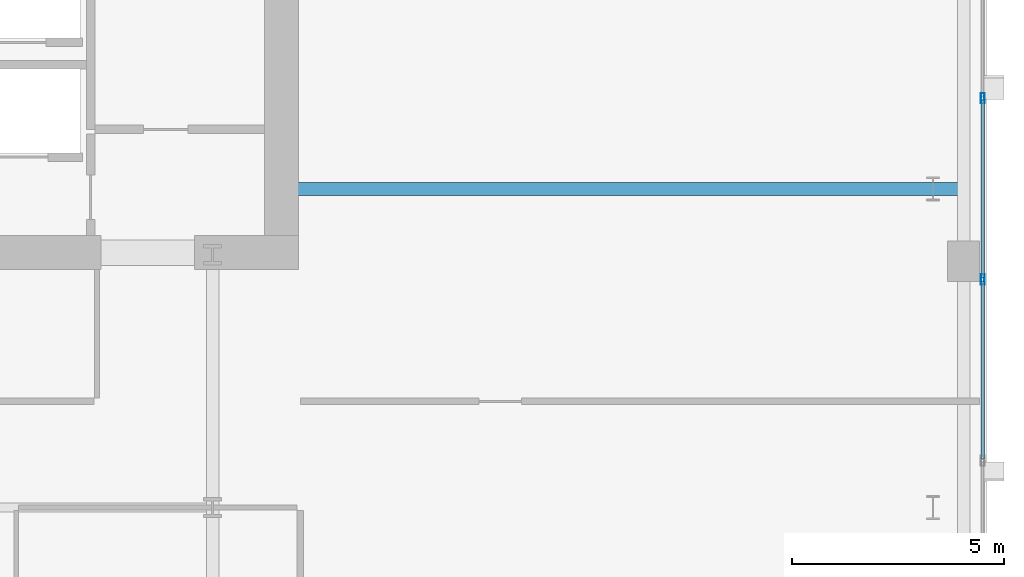
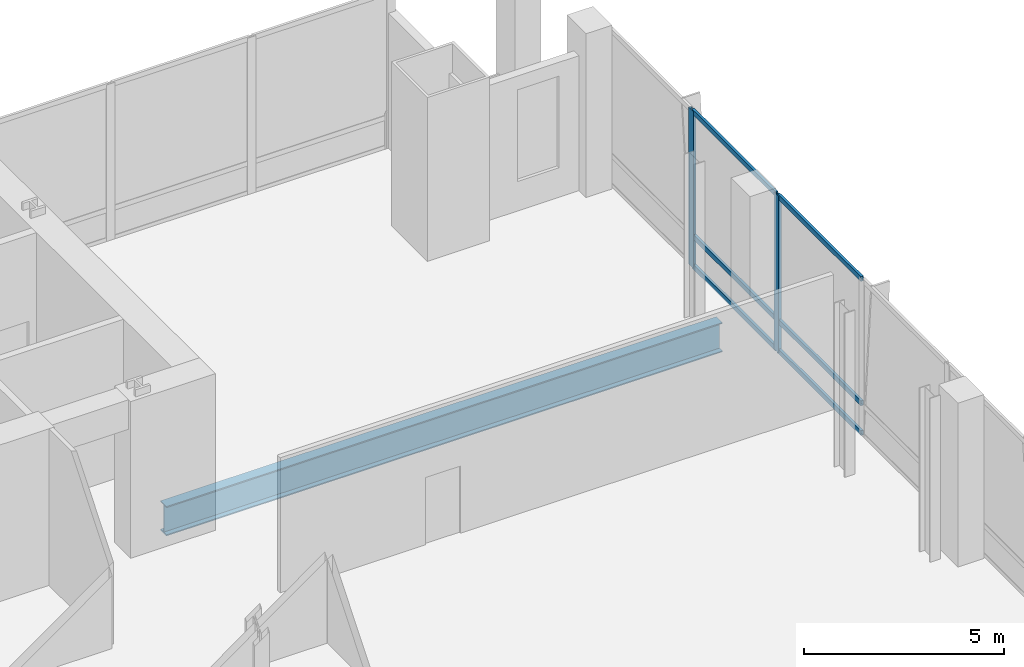
# One storey, part 16 of 25: 8 members, 1 beam, 1 element without a shape of its own.
"""IFC4 building model written with IfcOpenShell, lengths in metres."""

from ifc_helpers import new_model, si_unit, direction, frame, origin, origin_2d, place, context, subcontext, project, spatial, hollow_rectangle, i_section, extrude, material, material_profile, profile_set, type_object, element, aggregate, save


model = new_model("IFC4")

# Units and contexts
model_context = context("Model", 3, precision=1e-05, world=origin(), true_north=direction((0.0, 1.0)))
body_context = subcontext(model_context, "Body", "Model", "MODEL_VIEW")
ifc_project = project(units=[si_unit("LENGTHUNIT", "METRE"), si_unit("AREAUNIT", "SQUARE_METRE"), si_unit("VOLUMEUNIT", "CUBIC_METRE"), si_unit("PLANEANGLEUNIT", "RADIAN"), si_unit("MASSUNIT", "GRAM", prefix="KILO")], contexts=[model_context])

# Site, building, storey
site_placement = place(None, origin())
site = spatial("IfcSite", under=ifc_project, at=site_placement, CompositionType="ELEMENT")
building_placement = place(site_placement, origin())
building = spatial("IfcBuilding", under=site, at=building_placement, Name="Khoronbel Lancet Exchange", CompositionType="ELEMENT")
storey_placement = place(building_placement, frame((0.0, 0.0, 15.39990234375)))
storey = spatial("IfcBuildingStorey", under=building, at=storey_placement, Name="L03", CompositionType="ELEMENT", Elevation=15.39990234375)

# Beam
ifc_material_1 = material(Name="Steel S355", Category="steel")
ifc_material_profile_1 = material_profile(ifc_material_1, i_section(OverallWidth=0.300048828125, OverallDepth=0.89990234375, WebThickness=0.0185546875, FlangeThickness=0.034912109375, at=origin_2d()), Name="HEB 900")
ifc_profile_set_1 = profile_set([ifc_material_profile_1], Name="Steel S355")
beam_type = type_object("IfcBeamType", Name="BM-BG1", PredefinedType="BEAM", material=ifc_profile_set_1)
beam_placement = place(storey_placement, frame((56.300048828125, 43.199951171875, -0.64990234375), z_axis=(1.0, 0.0, 0.0), x_axis=(0.0, 1.0, 0.0)))
element("IfcBeam", 1, at=beam_placement, inside=storey, type_object=beam_type, Name="Level L03 east lens tie girder LG3E", PredefinedType="BEAM", context=body_context, shape_type="SweptSolid", body=[
    extrude(i_section(OverallWidth=0.300048828125, OverallDepth=0.89990234375, WebThickness=0.0185546875, FlangeThickness=0.034912109375, at=origin_2d()), origin(), (0.0, 0.0, 1.0), 16.050048828125),
])

# Curtain wall, members
ifc_material_2 = material(Name="Low-E Solar Control Insulating Glass", Category="glass")
curtain_wall_type = type_object("IfcCurtainWallType", Name="CW-5", PredefinedType="NOTDEFINED", material=ifc_material_2)
curtain_wall_placement = place(storey_placement, origin())
curtain_wall = element("IfcCurtainWall", 2, at=curtain_wall_placement, inside=storey, type_object=curtain_wall_type, Name="Unitised curtain wall CW-L03-EAST", PredefinedType="NOTDEFINED")
ifc_material_3 = material(Name="Bronze-Anodised Aluminium 6063-T6", Category="aluminium")
ifc_material_profile_2 = material_profile(ifc_material_3, hollow_rectangle(XDim=0.0849609375, YDim=0.239990234375, WallThickness=0.006103515625, at=origin_2d()), Name="ALU MULLION 85x240")
ifc_profile_set_2 = profile_set([ifc_material_profile_2], Name="Bronze-Anodised Aluminium 6063-T6")
member_type_1 = type_object("IfcMemberType", Name="MEM-CWM1", PredefinedType="MULLION", material=ifc_profile_set_2)
member_1_placement = place(storey_placement, frame((72.800048828125, 41.066650390625, 0.0), z_axis=(0.0, 0.0, 1.0), x_axis=(-1.0, 0.0, 0.0)))
member_1 = element("IfcMember", 3, at=member_1_placement, type_object=member_type_1, Name="CW5 mullion 8", PredefinedType="MULLION", context=body_context, shape_type="SweptSolid", body=[
    extrude(hollow_rectangle(XDim=0.0849609375, YDim=0.239990234375, WallThickness=0.006103515625, at=origin_2d()), origin(), (0.0, 0.0, 1.0), 4.780029296875),
])
member_2_placement = place(storey_placement, frame((72.800048828125, 45.333251953125, 0.0), z_axis=(0.0, 0.0, 1.0), x_axis=(-1.0, 0.0, 0.0)))
member_2 = element("IfcMember", 4, at=member_2_placement, type_object=member_type_1, Name="CW5 mullion 9", PredefinedType="MULLION", context=body_context, shape_type="SweptSolid", body=[
    extrude(hollow_rectangle(XDim=0.0849609375, YDim=0.239990234375, WallThickness=0.006103515625, at=origin_2d()), origin(), (0.0, 0.0, 1.0), 4.780029296875),
])
ifc_material_profile_3 = material_profile(ifc_material_3, hollow_rectangle(XDim=0.074951171875, YDim=0.14990234375, WallThickness=0.00439453125, at=origin_2d()), Name="ALU TRANSOM 75x150")
ifc_profile_set_3 = profile_set([ifc_material_profile_3], Name="Bronze-Anodised Aluminium 6063-T6")
member_type_2 = type_object("IfcMemberType", Name="MEM-CWT2", PredefinedType="USERDEFINED", material=ifc_profile_set_3)
member_3_placement = place(storey_placement, frame((72.800048828125, 36.842529296875, 0.03759765625), z_axis=(0.0, 1.0, 0.0), x_axis=(-1.0, 0.0, 0.0)))
member_3 = element("IfcMember", 5, at=member_3_placement, type_object=member_type_2, Name="CW5 transom 7.1", ObjectType="TRANSOM", PredefinedType="USERDEFINED", context=body_context, shape_type="SweptSolid", body=[
    extrude(hollow_rectangle(XDim=0.074951171875, YDim=0.14990234375, WallThickness=0.00439453125, at=origin_2d()), origin(), (0.0, 0.0, 1.0), 4.181640625),
])
member_4_placement = place(storey_placement, frame((72.800048828125, 36.842529296875, 0.9501953125), z_axis=(0.0, 1.0, 0.0), x_axis=(-1.0, 0.0, 0.0)))
member_4 = element("IfcMember", 6, at=member_4_placement, type_object=member_type_2, Name="CW5 transom 7.2", ObjectType="TRANSOM", PredefinedType="USERDEFINED", context=body_context, shape_type="SweptSolid", body=[
    extrude(hollow_rectangle(XDim=0.074951171875, YDim=0.14990234375, WallThickness=0.00439453125, at=origin_2d()), origin(), (0.0, 0.0, 1.0), 4.181640625),
])
member_5_placement = place(storey_placement, frame((72.800048828125, 36.842529296875, 4.74267578125), z_axis=(0.0, 1.0, 0.0), x_axis=(-1.0, 0.0, 0.0)))
member_5 = element("IfcMember", 7, at=member_5_placement, type_object=member_type_2, Name="CW5 transom 7.3", ObjectType="TRANSOM", PredefinedType="USERDEFINED", context=body_context, shape_type="SweptSolid", body=[
    extrude(hollow_rectangle(XDim=0.074951171875, YDim=0.14990234375, WallThickness=0.00439453125, at=origin_2d()), origin(), (0.0, 0.0, 1.0), 4.181640625),
])
member_6_placement = place(storey_placement, frame((72.800048828125, 41.109130859375, 0.03759765625), z_axis=(0.0, 1.0, 0.0), x_axis=(-1.0, 0.0, 0.0)))
member_6 = element("IfcMember", 8, at=member_6_placement, type_object=member_type_2, Name="CW5 transom 8.1", ObjectType="TRANSOM", PredefinedType="USERDEFINED", context=body_context, shape_type="SweptSolid", body=[
    extrude(hollow_rectangle(XDim=0.074951171875, YDim=0.14990234375, WallThickness=0.00439453125, at=origin_2d()), origin(), (0.0, 0.0, 1.0), 4.181640625),
])
member_7_placement = place(storey_placement, frame((72.800048828125, 41.109130859375, 0.9501953125), z_axis=(0.0, 1.0, 0.0), x_axis=(-1.0, 0.0, 0.0)))
member_7 = element("IfcMember", 9, at=member_7_placement, type_object=member_type_2, Name="CW5 transom 8.2", ObjectType="TRANSOM", PredefinedType="USERDEFINED", context=body_context, shape_type="SweptSolid", body=[
    extrude(hollow_rectangle(XDim=0.074951171875, YDim=0.14990234375, WallThickness=0.00439453125, at=origin_2d()), origin(), (0.0, 0.0, 1.0), 4.181640625),
])
member_8_placement = place(storey_placement, frame((72.800048828125, 41.109130859375, 4.74267578125), z_axis=(0.0, 1.0, 0.0), x_axis=(-1.0, 0.0, 0.0)))
member_8 = element("IfcMember", 10, at=member_8_placement, type_object=member_type_2, Name="CW5 transom 8.3", ObjectType="TRANSOM", PredefinedType="USERDEFINED", context=body_context, shape_type="SweptSolid", body=[
    extrude(hollow_rectangle(XDim=0.074951171875, YDim=0.14990234375, WallThickness=0.00439453125, at=origin_2d()), origin(), (0.0, 0.0, 1.0), 4.181640625),
])
aggregate(curtain_wall, [member_1, member_2, member_3, member_4, member_5, member_6, member_7, member_8])

save(model, "model.ifc")
